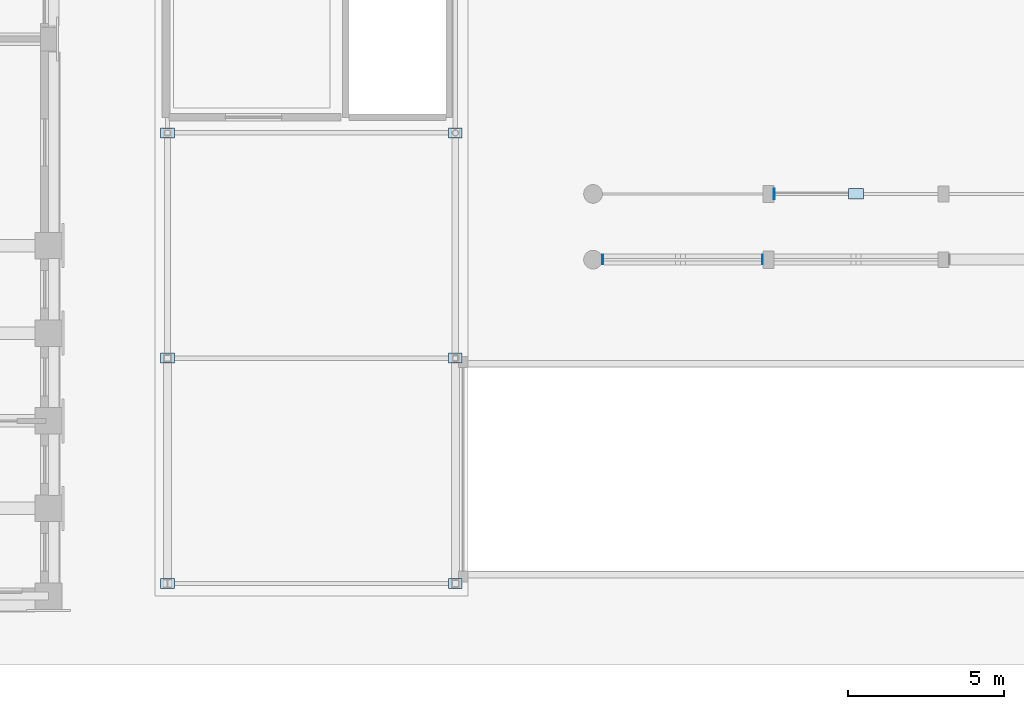
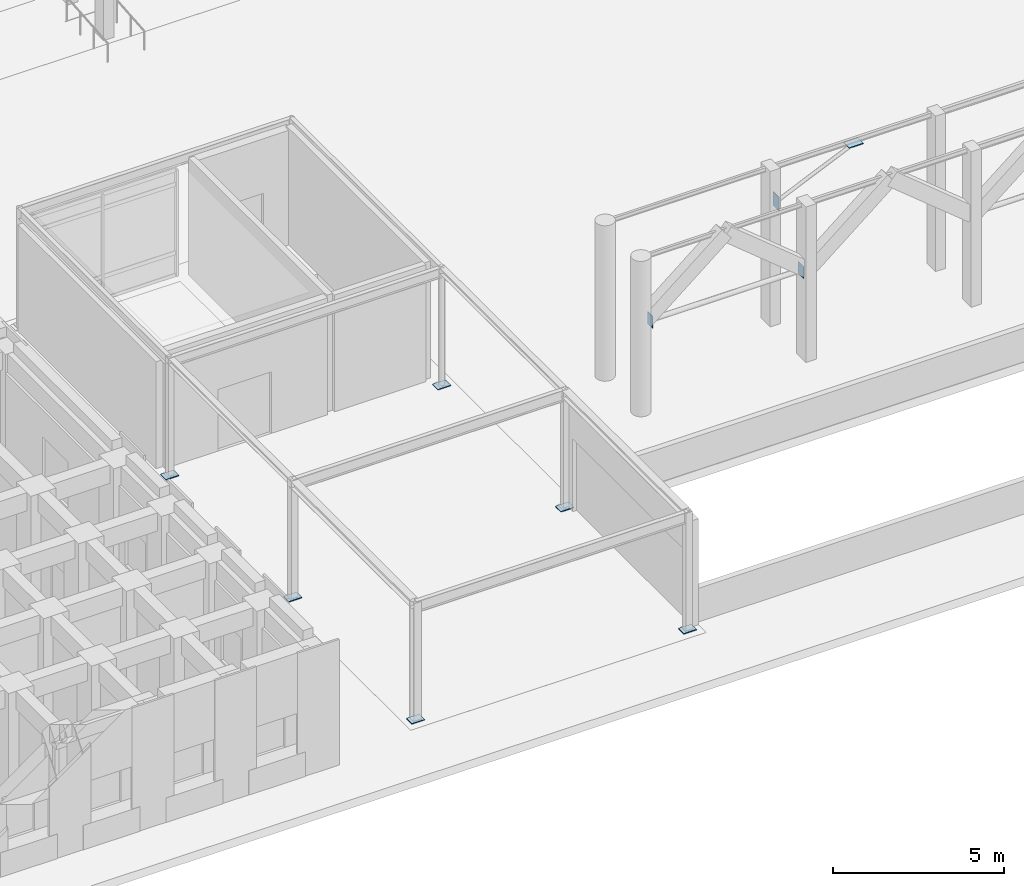
# One storey, part 76 of 135: 10 plates.
"""IFC4 building model written with IfcOpenShell, lengths in metres."""

from ifc_helpers import new_model, si_unit, direction, frame, origin, origin_2d, place, context, subcontext, project, spatial, rectangle, extrude, material, layer, layer_set, type_object, element, save


model = new_model("IFC4")

# Units and contexts
model_context = context("Model", 3, precision=1e-05, world=origin(), true_north=direction((0.0, 1.0)))
body_context = subcontext(model_context, "Body", "Model", "MODEL_VIEW")
ifc_project = project(units=[si_unit("LENGTHUNIT", "METRE"), si_unit("AREAUNIT", "SQUARE_METRE"), si_unit("VOLUMEUNIT", "CUBIC_METRE"), si_unit("PLANEANGLEUNIT", "RADIAN"), si_unit("MASSUNIT", "GRAM", prefix="KILO")], contexts=[model_context])

# Site, building, storey
site_placement = place(None, origin())
site = spatial("IfcSite", under=ifc_project, at=site_placement, CompositionType="ELEMENT")
building_placement = place(site_placement, origin())
building = spatial("IfcBuilding", under=site, at=building_placement, Name="Kiranvali Square Residences", CompositionType="ELEMENT")
storey_placement = place(building_placement, origin())
storey = spatial("IfcBuildingStorey", under=building, at=storey_placement, Name="L00", CompositionType="ELEMENT", Elevation=0.0)

# Plates
ifc_material = material(Name="Structural steel E350", Category="steel")
ifc_layer_1 = layer(ifc_material, 0.028076171875)
ifc_layer_set_1 = layer_set([ifc_layer_1], Name="Structural steel E350")
plate_type_1 = type_object("IfcPlateType", Name="PLT-BASE-28", PredefinedType="USERDEFINED", material=ifc_layer_set_1)
for number, where, z_axis, x_axis, name in (
    (1, (74.39990234375, 2.60009765625, 0.0), (0.0, 0.0, 1.0), (1.0, 0.0, 0.0), "South Boulevard Ramp and Arcade Portal column baseplate 1.1"),
    (2, (83.60009765625, 2.60009765625, 0.0), (0.0, 0.0, 1.0), (1.0, 0.0, 0.0), "South Boulevard Ramp and Arcade Portal column baseplate 1.2"),
    (3, (74.39990234375, 9.800048828125, 0.0), (0.0, 0.0, 1.0), (1.0, 0.0, 0.0), "South Boulevard Ramp and Arcade Portal column baseplate 2.1"),
    (4, (83.60009765625, 9.800048828125, 0.0), (0.0, 0.0, 1.0), (1.0, 0.0, 0.0), "South Boulevard Ramp and Arcade Portal column baseplate 2.2"),
    (5, (74.39990234375, 17.0, 0.0), (0.0, 0.0, 1.0), (1.0, 0.0, 0.0), "South Boulevard Ramp and Arcade Portal column baseplate 3.1"),
    (6, (83.60009765625, 17.0, 0.0), (0.0, 0.0, 1.0), (1.0, 0.0, 0.0), "South Boulevard Ramp and Arcade Portal column baseplate 3.2"),
):
    element("IfcPlate", number, at=place(storey_placement, frame(where, z_axis=z_axis, x_axis=x_axis)), inside=storey, type_object=plate_type_1, Name=name, ObjectType="BASE PLATE", PredefinedType="USERDEFINED", context=body_context, shape_type="SweptSolid", body=[
        extrude(rectangle(XDim=0.43994140625, YDim=0.320068359375, at=origin_2d()), origin(), (0.0, 0.0, 1.0), 0.028076171875),
    ])
ifc_layer_2 = layer(ifc_material, 0.02001953125)
ifc_layer_set_2 = layer_set([ifc_layer_2], Name="Structural steel E350")
plate_type_2 = type_object("IfcPlateType", Name="PLT-ENDCAP-20", PredefinedType="SHEET", material=ifc_layer_set_2)
for number, where, z_axis, x_axis, name in (
    (7, (88.31103515625, 12.949951171875, 2.93994140625), (0.0, 0.0, 1.0), (1.0, 0.0, 0.0), "Colonnade tie-rod end plate ARC-SQ-S-1A"),
    (8, (93.4140625, 12.949951171875, 2.93994140625), (0.0, 0.0, 1.0), (1.0, 0.0, 0.0), "Colonnade tie-rod end plate ARC-SQ-S-1B"),
):
    element("IfcPlate", number, at=place(storey_placement, frame(where, z_axis=z_axis, x_axis=x_axis)), inside=storey, type_object=plate_type_2, Name=name, PredefinedType="SHEET", context=body_context, shape_type="SweptSolid", body=[
        extrude(rectangle(XDim=0.02001953125, YDim=0.300048828125, at=origin_2d()), origin(), (0.0, 0.0, 1.0), 0.419921875),
    ])
ifc_layer_3 = layer(ifc_material, 0.02490234375)
ifc_layer_set_3 = layer_set([ifc_layer_3], Name="Structural steel E350")
plate_type_3 = type_object("IfcPlateType", Name="PLT-GUSSET-25", PredefinedType="USERDEFINED", material=ifc_layer_set_3)
plate_1_placement = place(storey_placement, frame((93.7890625, 15.050048828125, 3.9599609375), z_axis=(0.0, 0.0, 1.0), x_axis=(1.0, 0.0, 0.0)))
element("IfcPlate", 9, at=plate_1_placement, inside=storey, type_object=plate_type_3, Name="Colonnade knee-brace lower gusset ARC-SQ-S-2A", ObjectType="GUSSET PLATE", PredefinedType="USERDEFINED", context=body_context, shape_type="SweptSolid", body=[
    extrude(rectangle(XDim=0.02490234375, YDim=0.340087890625, at=origin_2d()), origin(), (0.0, 0.0, 1.0), 0.47998046875),
])
plate_2_placement = place(storey_placement, frame((96.39990234375, 15.050048828125, 5.358642578125), z_axis=(0.0, 0.0, 1.0), x_axis=(1.0, 0.0, 0.0)))
element("IfcPlate", 10, at=plate_2_placement, inside=storey, type_object=plate_type_3, Name="Colonnade knee-brace upper gusset ARC-SQ-S-2B", ObjectType="GUSSET PLATE", PredefinedType="USERDEFINED", context=body_context, shape_type="SweptSolid", body=[
    extrude(rectangle(XDim=0.47998046875, YDim=0.340087890625, at=origin_2d()), origin(), (0.0, 0.0, 1.0), 0.02490234375),
])

save(model, "model.ifc")
